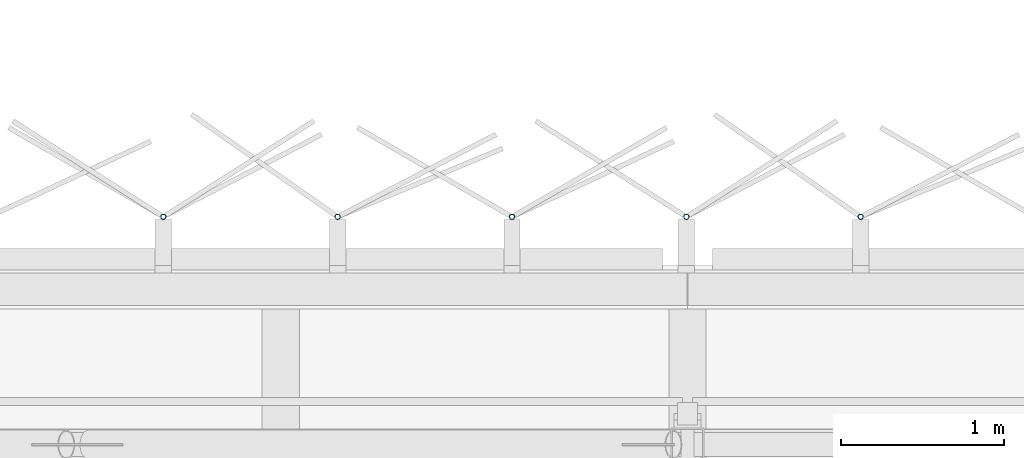
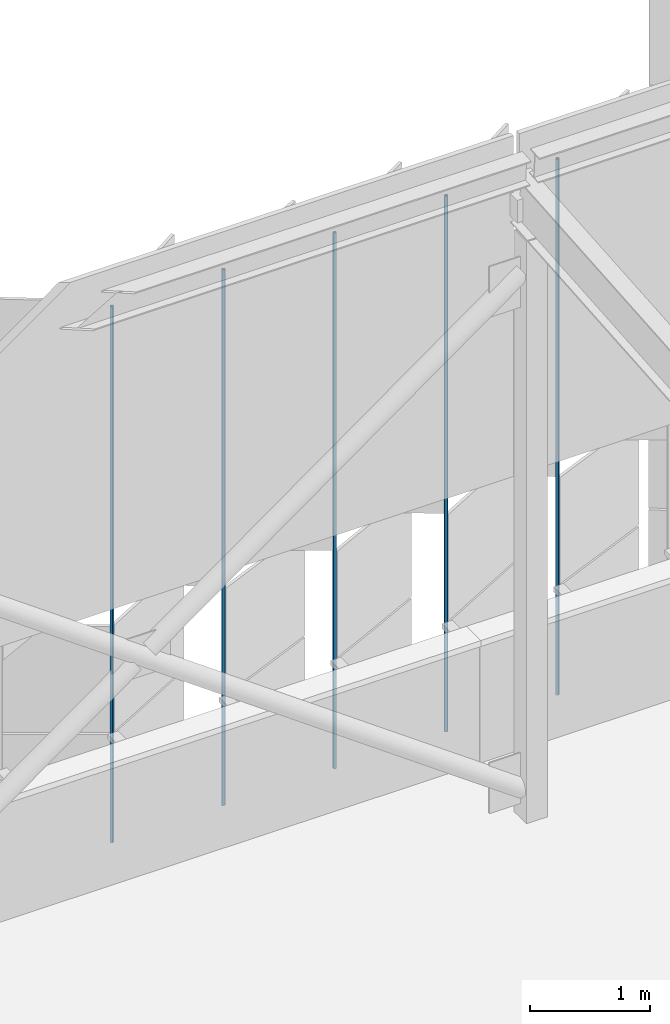
# One storey, part 345 of 483: 5 discrete accessories.
"""IFC4 building model written with IfcOpenShell, lengths in metres."""

from ifc_helpers import new_model, si_unit, direction, frame, origin, origin_2d, place, context, subcontext, project, spatial, hollow_circle, extrude, material, material_profile, profile_set, type_object, element, save


model = new_model("IFC4")

# Units and contexts
model_context = context("Model", 3, precision=1e-05, world=origin(), true_north=direction((0.0, 1.0)))
body_context = subcontext(model_context, "Body", "Model", "MODEL_VIEW")
ifc_project = project(units=[si_unit("LENGTHUNIT", "METRE"), si_unit("AREAUNIT", "SQUARE_METRE"), si_unit("VOLUMEUNIT", "CUBIC_METRE"), si_unit("PLANEANGLEUNIT", "RADIAN"), si_unit("MASSUNIT", "GRAM", prefix="KILO")], contexts=[model_context])

# Site, building, storey
site_placement = place(None, origin())
site = spatial("IfcSite", under=ifc_project, at=site_placement, CompositionType="ELEMENT")
building_placement = place(site_placement, origin())
building = spatial("IfcBuilding", under=site, at=building_placement, Name="Parallax Yard Mobility Hub", CompositionType="ELEMENT")
storey_placement = place(building_placement, frame((0.0, 0.0, 13.199951171875)))
storey = spatial("IfcBuildingStorey", under=building, at=storey_placement, Name="L04", CompositionType="ELEMENT", Elevation=13.199951171875)

# Discrete accessories
ifc_material = material(Name="Steel ASTM A500 Gr C, hot-dip galvanised", Category="steel")
ifc_material_profile = material_profile(ifc_material, hollow_circle(Radius=0.016845703125, WallThickness=0.003173828125, at=origin_2d()), Name="CHS 33.7x3.2")
ifc_profile_set = profile_set([ifc_material_profile], Name="Steel ASTM A500 Gr C, hot-dip galvanised")
discrete_accessory_type = type_object("IfcDiscreteAccessoryType", Name="Hinge post CHS 33.7x3.2", PredefinedType="BRACKET", material=ifc_profile_set)
for number, where, z_axis, x_axis, name in (
    (1, (98.564453125, 142.800048828125, 0.0), (0.0, 0.0, 1.0), (1.0, 0.0, 0.0), "Hinge post bay 60.7 level L04"),
    (2, (97.492919921875, 142.800048828125, 0.0), (0.0, 0.0, 1.0), (1.0, 0.0, 0.0), "Hinge post bay 61.1 level L04"),
    (3, (96.42138671875, 142.800048828125, 0.0), (0.0, 0.0, 1.0), (1.0, 0.0, 0.0), "Hinge post bay 61.2 level L04"),
    (4, (95.349853515625, 142.800048828125, 0.0), (0.0, 0.0, 1.0), (1.0, 0.0, 0.0), "Hinge post bay 61.3 level L04"),
    (5, (94.2783203125, 142.800048828125, 0.0), (0.0, 0.0, 1.0), (1.0, 0.0, 0.0), "Hinge post bay 61.4 level L04"),
):
    element("IfcDiscreteAccessory", number, at=place(storey_placement, frame(where, z_axis=z_axis, x_axis=x_axis)), inside=storey, type_object=discrete_accessory_type, Name=name, PredefinedType="BRACKET", context=body_context, shape_type="SweptSolid", body=[
        extrude(hollow_circle(Radius=0.016845703125, WallThickness=0.003173828125, at=origin_2d()), origin(), (0.0, 0.0, 1.0), 5.449951171875),
    ])

save(model, "model.ifc")
